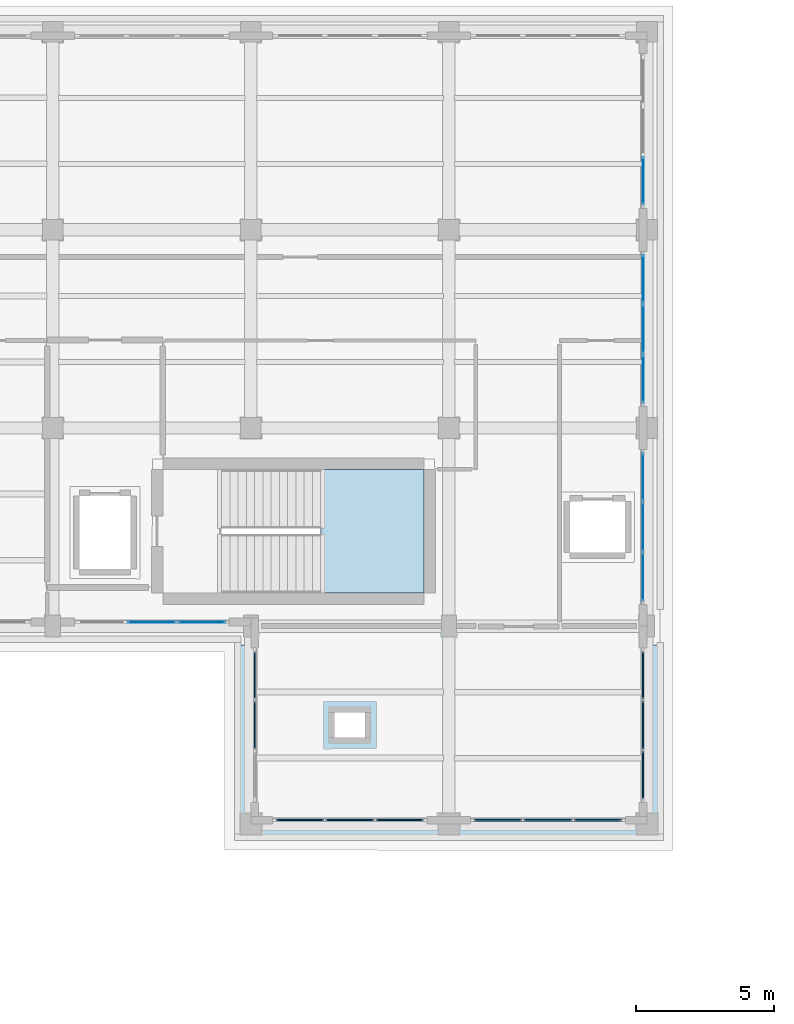
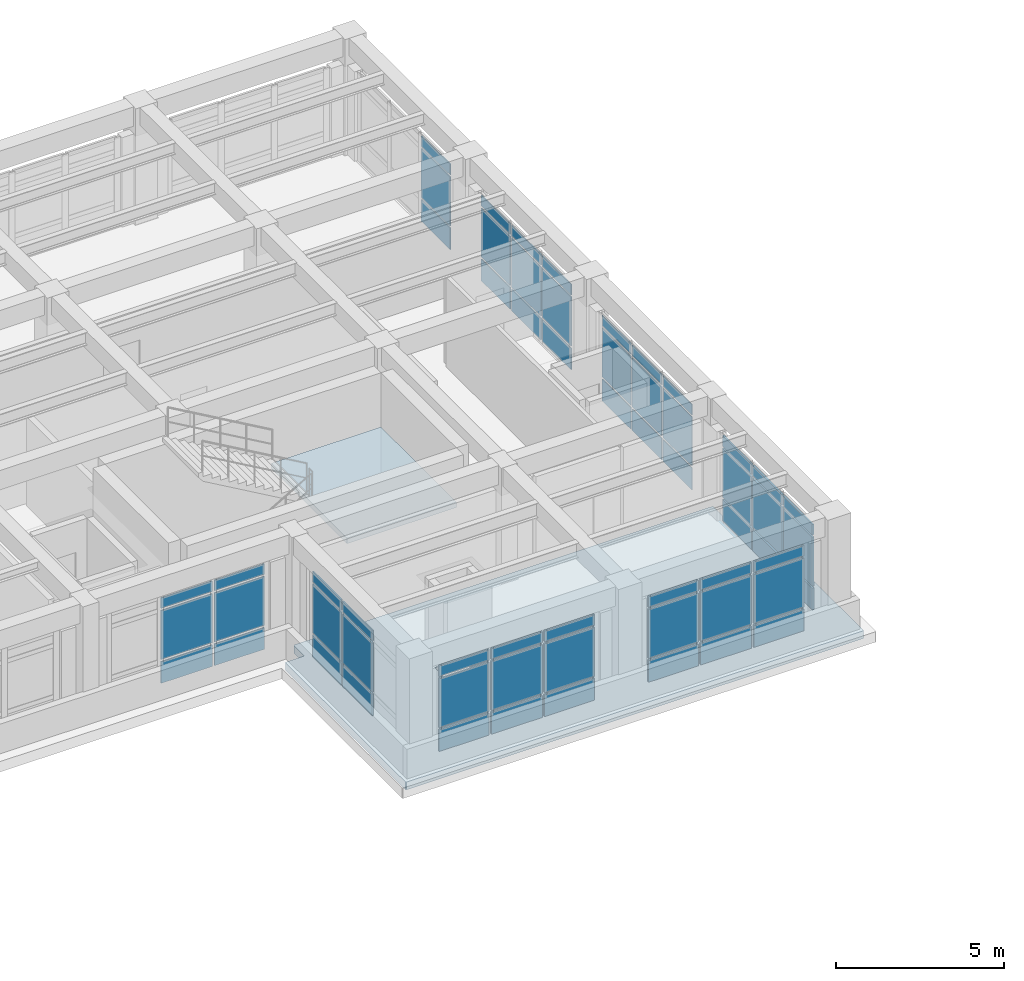
# One storey, part 44 of 67: 60 plates, 2 slabs, 9 elements without a shape of their own.
"""IFC4 building model written with IfcOpenShell, lengths in metres."""

from ifc_helpers import new_model, si_unit, direction, frame, origin, origin_2d, place, context, subcontext, project, spatial, polyline, rectangle, outline, extrude, material, layer, layer_set, type_object, element, aggregate, save


model = new_model("IFC4")

# Units and contexts
model_context = context("Model", 3, precision=1e-05, world=origin(), true_north=direction((0.0, 1.0)))
body_context = subcontext(model_context, "Body", "Model", "MODEL_VIEW")
ifc_project = project(units=[si_unit("LENGTHUNIT", "METRE"), si_unit("AREAUNIT", "SQUARE_METRE"), si_unit("VOLUMEUNIT", "CUBIC_METRE"), si_unit("PLANEANGLEUNIT", "RADIAN"), si_unit("MASSUNIT", "GRAM", prefix="KILO")], contexts=[model_context])

# Site, building, storey
site_placement = place(None, origin())
site = spatial("IfcSite", under=ifc_project, at=site_placement, CompositionType="ELEMENT")
building_placement = place(site_placement, origin())
building = spatial("IfcBuilding", under=site, at=building_placement, Name="Solenvale Faculty of Natural Sciences", CompositionType="ELEMENT")
storey_placement = place(building_placement, frame((0.0, 0.0, 13.5)))
storey = spatial("IfcBuildingStorey", under=building, at=storey_placement, Name="L03", CompositionType="ELEMENT", Elevation=13.5)

# Curtain wall, plates
ifc_material_1 = material(Name="Anodised bronze aluminium", Category="aluminium")
ifc_layer_1 = layer(ifc_material_1, 0.179931640625)
ifc_layer_set_1 = layer_set([ifc_layer_1], Name="Anodised bronze aluminium")
curtain_wall_type = type_object("IfcCurtainWallType", Name="CW-TWR-MOD", PredefinedType="USERDEFINED", material=ifc_layer_set_1)
curtain_wall_1_placement = place(storey_placement, origin())
curtain_wall_1 = element("IfcCurtainWall", 1, at=curtain_wall_1_placement, inside=storey, type_object=curtain_wall_type, Name="L03 Curtain Wall CW-L03-P3-E3-B1", ObjectType="UNITISED CURTAIN WALL", PredefinedType="USERDEFINED")
ifc_material_2 = material(Name="North-light skylight glass", Category="glass")
ifc_layer_2 = layer(ifc_material_2, 0.028076171875)
ifc_layer_set_2 = layer_set([ifc_layer_2], Name="North-light skylight glass")
plate_type_1 = type_object("IfcPlateType", Name="CWP-PNL-28", PredefinedType="CURTAIN_PANEL", material=ifc_layer_set_2)
plate_1_placement = place(storey_placement, frame((151.0576171875, 95.385498046875, 0.074951171875), z_axis=(0.0, 0.0, 1.0), x_axis=(0.0, 1.0, 0.0)))
plate_1 = element("IfcPlate", 2, at=plate_1_placement, type_object=plate_type_1, Name="CW-04 panel 1.1", PredefinedType="CURTAIN_PANEL", context=body_context, shape_type="SweptSolid", body=[
    extrude(rectangle(XDim=1.720947265625, YDim=0.028076171875, at=origin_2d()), origin(), (0.0, 0.0, 1.0), 0.78759765625),
])
plate_2_placement = place(storey_placement, frame((151.0576171875, 95.385498046875, 0.9375), z_axis=(0.0, 0.0, 1.0), x_axis=(0.0, 1.0, 0.0)))
plate_2 = element("IfcPlate", 3, at=plate_2_placement, type_object=plate_type_1, Name="CW-04 panel 1.2", PredefinedType="CURTAIN_PANEL", context=body_context, shape_type="SweptSolid", body=[
    extrude(rectangle(XDim=1.720947265625, YDim=0.028076171875, at=origin_2d()), origin(), (0.0, 0.0, 1.0), 1.784912109375),
])
plate_3_placement = place(storey_placement, frame((151.0576171875, 95.385498046875, 2.79736328125), z_axis=(0.0, 0.0, 1.0), x_axis=(0.0, 1.0, 0.0)))
plate_3 = element("IfcPlate", 4, at=plate_3_placement, type_object=plate_type_1, Name="CW-04 panel 1.3", PredefinedType="CURTAIN_PANEL", context=body_context, shape_type="SweptSolid", body=[
    extrude(rectangle(XDim=1.720947265625, YDim=0.028076171875, at=origin_2d()), origin(), (0.0, 0.0, 1.0), 0.387451171875),
])
plate_4_placement = place(storey_placement, frame((151.0576171875, 97.199951171875, 0.074951171875), z_axis=(0.0, 0.0, 1.0), x_axis=(0.0, 1.0, 0.0)))
plate_4 = element("IfcPlate", 5, at=plate_4_placement, type_object=plate_type_1, Name="CW-04 panel 2.1", PredefinedType="CURTAIN_PANEL", context=body_context, shape_type="SweptSolid", body=[
    extrude(rectangle(XDim=1.75830078125, YDim=0.028076171875, at=origin_2d()), origin(), (0.0, 0.0, 1.0), 0.78759765625),
])
plate_5_placement = place(storey_placement, frame((151.0576171875, 97.199951171875, 0.9375), z_axis=(0.0, 0.0, 1.0), x_axis=(0.0, 1.0, 0.0)))
plate_5 = element("IfcPlate", 6, at=plate_5_placement, type_object=plate_type_1, Name="CW-04 panel 2.2", PredefinedType="CURTAIN_PANEL", context=body_context, shape_type="SweptSolid", body=[
    extrude(rectangle(XDim=1.75830078125, YDim=0.028076171875, at=origin_2d()), origin(), (0.0, 0.0, 1.0), 1.784912109375),
])
plate_6_placement = place(storey_placement, frame((151.0576171875, 97.199951171875, 2.79736328125), z_axis=(0.0, 0.0, 1.0), x_axis=(0.0, 1.0, 0.0)))
plate_6 = element("IfcPlate", 7, at=plate_6_placement, type_object=plate_type_1, Name="CW-04 panel 2.3", PredefinedType="CURTAIN_PANEL", context=body_context, shape_type="SweptSolid", body=[
    extrude(rectangle(XDim=1.75830078125, YDim=0.028076171875, at=origin_2d()), origin(), (0.0, 0.0, 1.0), 0.387451171875),
])
plate_7_placement = place(storey_placement, frame((151.0576171875, 99.0146484375, 0.074951171875), z_axis=(0.0, 0.0, 1.0), x_axis=(0.0, 1.0, 0.0)))
plate_7 = element("IfcPlate", 8, at=plate_7_placement, type_object=plate_type_1, Name="CW-04 panel 3.1", PredefinedType="CURTAIN_PANEL", context=body_context, shape_type="SweptSolid", body=[
    extrude(rectangle(XDim=1.720947265625, YDim=0.028076171875, at=origin_2d()), origin(), (0.0, 0.0, 1.0), 0.78759765625),
])
plate_8_placement = place(storey_placement, frame((151.0576171875, 99.0146484375, 0.9375), z_axis=(0.0, 0.0, 1.0), x_axis=(0.0, 1.0, 0.0)))
plate_8 = element("IfcPlate", 9, at=plate_8_placement, type_object=plate_type_1, Name="CW-04 panel 3.2", PredefinedType="CURTAIN_PANEL", context=body_context, shape_type="SweptSolid", body=[
    extrude(rectangle(XDim=1.720947265625, YDim=0.028076171875, at=origin_2d()), origin(), (0.0, 0.0, 1.0), 1.784912109375),
])
plate_9_placement = place(storey_placement, frame((151.0576171875, 99.0146484375, 2.79736328125), z_axis=(0.0, 0.0, 1.0), x_axis=(0.0, 1.0, 0.0)))
plate_9 = element("IfcPlate", 10, at=plate_9_placement, type_object=plate_type_1, Name="CW-04 panel 3.3", PredefinedType="CURTAIN_PANEL", context=body_context, shape_type="SweptSolid", body=[
    extrude(rectangle(XDim=1.720947265625, YDim=0.028076171875, at=origin_2d()), origin(), (0.0, 0.0, 1.0), 0.387451171875),
])
aggregate(curtain_wall_1, [plate_1, plate_2, plate_3, plate_4, plate_5, plate_6, plate_7, plate_8, plate_9])

curtain_wall_2_placement = place(storey_placement, origin())
curtain_wall_2 = element("IfcCurtainWall", 11, at=curtain_wall_2_placement, inside=storey, type_object=curtain_wall_type, Name="L03 Curtain Wall CW-L03-P3-E3-B2", ObjectType="UNITISED CURTAIN WALL", PredefinedType="USERDEFINED")
ifc_material_3 = material(Name="Triple low-E insulated glass", Category="glass")
ifc_layer_3 = layer(ifc_material_3, 0.031982421875)
ifc_layer_set_3 = layer_set([ifc_layer_3], Name="Triple low-E insulated glass")
plate_type_2 = type_object("IfcPlateType", Name="CWP-PNL-32", PredefinedType="CURTAIN_PANEL", material=ifc_layer_set_3)
plate_10_placement = place(storey_placement, frame((151.0576171875, 102.58544921875, 0.074951171875), z_axis=(0.0, 0.0, 1.0), x_axis=(0.0, 1.0, 0.0)))
plate_10 = element("IfcPlate", 12, at=plate_10_placement, type_object=plate_type_2, Name="CW-04 panel 1.1", PredefinedType="CURTAIN_PANEL", context=body_context, shape_type="SweptSolid", body=[
    extrude(rectangle(XDim=1.720947265625, YDim=0.031982421875, at=origin_2d()), origin(), (0.0, 0.0, 1.0), 0.78759765625),
])
plate_11_placement = place(storey_placement, frame((151.0576171875, 102.58544921875, 0.9375), z_axis=(0.0, 0.0, 1.0), x_axis=(0.0, 1.0, 0.0)))
plate_11 = element("IfcPlate", 13, at=plate_11_placement, type_object=plate_type_2, Name="CW-04 panel 1.2", PredefinedType="CURTAIN_PANEL", context=body_context, shape_type="SweptSolid", body=[
    extrude(rectangle(XDim=1.720947265625, YDim=0.031982421875, at=origin_2d()), origin(), (0.0, 0.0, 1.0), 1.784912109375),
])
plate_12_placement = place(storey_placement, frame((151.0576171875, 102.58544921875, 2.79736328125), z_axis=(0.0, 0.0, 1.0), x_axis=(0.0, 1.0, 0.0)))
plate_12 = element("IfcPlate", 14, at=plate_12_placement, type_object=plate_type_2, Name="CW-04 panel 1.3", PredefinedType="CURTAIN_PANEL", context=body_context, shape_type="SweptSolid", body=[
    extrude(rectangle(XDim=1.720947265625, YDim=0.031982421875, at=origin_2d()), origin(), (0.0, 0.0, 1.0), 0.387451171875),
])
plate_13_placement = place(storey_placement, frame((151.0576171875, 104.39990234375, 0.074951171875), z_axis=(0.0, 0.0, 1.0), x_axis=(0.0, 1.0, 0.0)))
plate_13 = element("IfcPlate", 15, at=plate_13_placement, type_object=plate_type_2, Name="CW-04 panel 2.1", PredefinedType="CURTAIN_PANEL", context=body_context, shape_type="SweptSolid", body=[
    extrude(rectangle(XDim=1.75830078125, YDim=0.031982421875, at=origin_2d()), origin(), (0.0, 0.0, 1.0), 0.78759765625),
])
plate_14_placement = place(storey_placement, frame((151.0576171875, 104.39990234375, 0.9375), z_axis=(0.0, 0.0, 1.0), x_axis=(0.0, 1.0, 0.0)))
plate_14 = element("IfcPlate", 16, at=plate_14_placement, type_object=plate_type_2, Name="CW-04 panel 2.2", PredefinedType="CURTAIN_PANEL", context=body_context, shape_type="SweptSolid", body=[
    extrude(rectangle(XDim=1.75830078125, YDim=0.031982421875, at=origin_2d()), origin(), (0.0, 0.0, 1.0), 1.784912109375),
])
plate_15_placement = place(storey_placement, frame((151.0576171875, 104.39990234375, 2.79736328125), z_axis=(0.0, 0.0, 1.0), x_axis=(0.0, 1.0, 0.0)))
plate_15 = element("IfcPlate", 17, at=plate_15_placement, type_object=plate_type_2, Name="CW-04 panel 2.3", PredefinedType="CURTAIN_PANEL", context=body_context, shape_type="SweptSolid", body=[
    extrude(rectangle(XDim=1.75830078125, YDim=0.031982421875, at=origin_2d()), origin(), (0.0, 0.0, 1.0), 0.387451171875),
])
plate_16_placement = place(storey_placement, frame((151.0576171875, 106.214599609375, 0.074951171875), z_axis=(0.0, 0.0, 1.0), x_axis=(0.0, 1.0, 0.0)))
plate_16 = element("IfcPlate", 18, at=plate_16_placement, type_object=plate_type_2, Name="CW-04 panel 3.1", PredefinedType="CURTAIN_PANEL", context=body_context, shape_type="SweptSolid", body=[
    extrude(rectangle(XDim=1.720947265625, YDim=0.031982421875, at=origin_2d()), origin(), (0.0, 0.0, 1.0), 0.78759765625),
])
plate_17_placement = place(storey_placement, frame((151.0576171875, 106.214599609375, 0.9375), z_axis=(0.0, 0.0, 1.0), x_axis=(0.0, 1.0, 0.0)))
plate_17 = element("IfcPlate", 19, at=plate_17_placement, type_object=plate_type_2, Name="CW-04 panel 3.2", PredefinedType="CURTAIN_PANEL", context=body_context, shape_type="SweptSolid", body=[
    extrude(rectangle(XDim=1.720947265625, YDim=0.031982421875, at=origin_2d()), origin(), (0.0, 0.0, 1.0), 1.784912109375),
])
plate_18_placement = place(storey_placement, frame((151.0576171875, 106.214599609375, 2.79736328125), z_axis=(0.0, 0.0, 1.0), x_axis=(0.0, 1.0, 0.0)))
plate_18 = element("IfcPlate", 20, at=plate_18_placement, type_object=plate_type_2, Name="CW-04 panel 3.3", PredefinedType="CURTAIN_PANEL", context=body_context, shape_type="SweptSolid", body=[
    extrude(rectangle(XDim=1.720947265625, YDim=0.031982421875, at=origin_2d()), origin(), (0.0, 0.0, 1.0), 0.387451171875),
])
aggregate(curtain_wall_2, [plate_10, plate_11, plate_12, plate_13, plate_14, plate_15, plate_16, plate_17, plate_18])

curtain_wall_3_placement = place(storey_placement, origin())
curtain_wall_3 = element("IfcCurtainWall", 21, at=curtain_wall_3_placement, inside=storey, type_object=curtain_wall_type, Name="L03 Curtain Wall CW-L03-P3-E3-B3", ObjectType="UNITISED CURTAIN WALL", PredefinedType="USERDEFINED")
ifc_layer_4 = layer(ifc_material_3, 0.035888671875)
ifc_layer_set_4 = layer_set([ifc_layer_4], Name="Triple low-E insulated glass")
plate_type_3 = type_object("IfcPlateType", Name="CWP-PNL-36", PredefinedType="CURTAIN_PANEL", material=ifc_layer_set_4)
plate_19_placement = place(storey_placement, frame((151.0576171875, 109.785400390625, 0.074951171875), z_axis=(0.0, 0.0, 1.0), x_axis=(0.0, 1.0, 0.0)))
plate_19 = element("IfcPlate", 22, at=plate_19_placement, type_object=plate_type_3, Name="CW-04 panel 1.1", PredefinedType="CURTAIN_PANEL", context=body_context, shape_type="SweptSolid", body=[
    extrude(rectangle(XDim=1.720947265625, YDim=0.035888671875, at=origin_2d()), origin(), (0.0, 0.0, 1.0), 0.78759765625),
])
plate_20_placement = place(storey_placement, frame((151.0576171875, 109.785400390625, 0.9375), z_axis=(0.0, 0.0, 1.0), x_axis=(0.0, 1.0, 0.0)))
plate_20 = element("IfcPlate", 23, at=plate_20_placement, type_object=plate_type_3, Name="CW-04 panel 1.2", PredefinedType="CURTAIN_PANEL", context=body_context, shape_type="SweptSolid", body=[
    extrude(rectangle(XDim=1.720947265625, YDim=0.035888671875, at=origin_2d()), origin(), (0.0, 0.0, 1.0), 1.784912109375),
])
plate_21_placement = place(storey_placement, frame((151.0576171875, 109.785400390625, 2.79736328125), z_axis=(0.0, 0.0, 1.0), x_axis=(0.0, 1.0, 0.0)))
plate_21 = element("IfcPlate", 24, at=plate_21_placement, type_object=plate_type_3, Name="CW-04 panel 1.3", PredefinedType="CURTAIN_PANEL", context=body_context, shape_type="SweptSolid", body=[
    extrude(rectangle(XDim=1.720947265625, YDim=0.035888671875, at=origin_2d()), origin(), (0.0, 0.0, 1.0), 0.387451171875),
])
aggregate(curtain_wall_3, [plate_19, plate_20, plate_21])

curtain_wall_4_placement = place(storey_placement, origin())
curtain_wall_4 = element("IfcCurtainWall", 25, at=curtain_wall_4_placement, inside=storey, type_object=curtain_wall_type, Name="L03 Curtain Wall CW-L03-P3-E6-B8", ObjectType="UNITISED CURTAIN WALL", PredefinedType="USERDEFINED")
plate_22_placement = place(storey_placement, frame((133.199951171875, 93.742431640625, 0.074951171875), z_axis=(0.0, 0.0, 1.0), x_axis=(1.0, 0.0, 0.0)))
plate_22 = element("IfcPlate", 26, at=plate_22_placement, type_object=plate_type_3, Name="CW-04 panel 2.1", PredefinedType="CURTAIN_PANEL", context=body_context, shape_type="SweptSolid", body=[
    extrude(rectangle(XDim=1.75830078125, YDim=0.035888671875, at=origin_2d()), origin(), (0.0, 0.0, 1.0), 0.78759765625),
])
plate_23_placement = place(storey_placement, frame((133.199951171875, 93.742431640625, 0.9375), z_axis=(0.0, 0.0, 1.0), x_axis=(1.0, 0.0, 0.0)))
plate_23 = element("IfcPlate", 27, at=plate_23_placement, type_object=plate_type_3, Name="CW-04 panel 2.2", PredefinedType="CURTAIN_PANEL", context=body_context, shape_type="SweptSolid", body=[
    extrude(rectangle(XDim=1.75830078125, YDim=0.035888671875, at=origin_2d()), origin(), (0.0, 0.0, 1.0), 1.784912109375),
])
plate_24_placement = place(storey_placement, frame((133.199951171875, 93.742431640625, 2.79736328125), z_axis=(0.0, 0.0, 1.0), x_axis=(1.0, 0.0, 0.0)))
plate_24 = element("IfcPlate", 28, at=plate_24_placement, type_object=plate_type_3, Name="CW-04 panel 2.3", PredefinedType="CURTAIN_PANEL", context=body_context, shape_type="SweptSolid", body=[
    extrude(rectangle(XDim=1.75830078125, YDim=0.035888671875, at=origin_2d()), origin(), (0.0, 0.0, 1.0), 0.387451171875),
])
plate_25_placement = place(storey_placement, frame((135.0146484375, 93.742431640625, 0.074951171875), z_axis=(0.0, 0.0, 1.0), x_axis=(1.0, 0.0, 0.0)))
plate_25 = element("IfcPlate", 29, at=plate_25_placement, type_object=plate_type_3, Name="CW-04 panel 3.1", PredefinedType="CURTAIN_PANEL", context=body_context, shape_type="SweptSolid", body=[
    extrude(rectangle(XDim=1.720947265625, YDim=0.035888671875, at=origin_2d()), origin(), (0.0, 0.0, 1.0), 0.78759765625),
])
plate_26_placement = place(storey_placement, frame((135.0146484375, 93.742431640625, 0.9375), z_axis=(0.0, 0.0, 1.0), x_axis=(1.0, 0.0, 0.0)))
plate_26 = element("IfcPlate", 30, at=plate_26_placement, type_object=plate_type_3, Name="CW-04 panel 3.2", PredefinedType="CURTAIN_PANEL", context=body_context, shape_type="SweptSolid", body=[
    extrude(rectangle(XDim=1.720947265625, YDim=0.035888671875, at=origin_2d()), origin(), (0.0, 0.0, 1.0), 1.784912109375),
])
plate_27_placement = place(storey_placement, frame((135.0146484375, 93.742431640625, 2.79736328125), z_axis=(0.0, 0.0, 1.0), x_axis=(1.0, 0.0, 0.0)))
plate_27 = element("IfcPlate", 31, at=plate_27_placement, type_object=plate_type_3, Name="CW-04 panel 3.3", PredefinedType="CURTAIN_PANEL", context=body_context, shape_type="SweptSolid", body=[
    extrude(rectangle(XDim=1.720947265625, YDim=0.035888671875, at=origin_2d()), origin(), (0.0, 0.0, 1.0), 0.387451171875),
])
aggregate(curtain_wall_4, [plate_22, plate_23, plate_24, plate_25, plate_26, plate_27])

curtain_wall_5_placement = place(storey_placement, origin())
curtain_wall_5 = element("IfcCurtainWall", 32, at=curtain_wall_5_placement, inside=storey, type_object=curtain_wall_type, Name="L03 Curtain Wall CW-L03-P3-E7-B1", ObjectType="UNITISED CURTAIN WALL", PredefinedType="USERDEFINED")
ifc_layer_5 = layer(ifc_material_3, 0.0439453125)
ifc_layer_set_5 = layer_set([ifc_layer_5], Name="Triple low-E insulated glass")
plate_type_4 = type_object("IfcPlateType", Name="CWP-PNL-44", PredefinedType="CURTAIN_PANEL", material=ifc_layer_set_5)
plate_28_placement = place(storey_placement, frame((136.9423828125, 91.814697265625, 0.074951171875), z_axis=(0.0, 0.0, 1.0), x_axis=(0.0, -1.0, 0.0)))
plate_28 = element("IfcPlate", 33, at=plate_28_placement, type_object=plate_type_4, Name="CW-04 panel 1.1", PredefinedType="CURTAIN_PANEL", context=body_context, shape_type="SweptSolid", body=[
    extrude(rectangle(XDim=1.720947265625, YDim=0.0439453125, at=origin_2d()), origin(), (0.0, 0.0, 1.0), 0.78759765625),
])
plate_29_placement = place(storey_placement, frame((136.9423828125, 91.814697265625, 0.9375), z_axis=(0.0, 0.0, 1.0), x_axis=(0.0, -1.0, 0.0)))
plate_29 = element("IfcPlate", 34, at=plate_29_placement, type_object=plate_type_4, Name="CW-04 panel 1.2", PredefinedType="CURTAIN_PANEL", context=body_context, shape_type="SweptSolid", body=[
    extrude(rectangle(XDim=1.720947265625, YDim=0.0439453125, at=origin_2d()), origin(), (0.0, 0.0, 1.0), 1.784912109375),
])
plate_30_placement = place(storey_placement, frame((136.9423828125, 91.814697265625, 2.79736328125), z_axis=(0.0, 0.0, 1.0), x_axis=(0.0, -1.0, 0.0)))
plate_30 = element("IfcPlate", 35, at=plate_30_placement, type_object=plate_type_4, Name="CW-04 panel 1.3", PredefinedType="CURTAIN_PANEL", context=body_context, shape_type="SweptSolid", body=[
    extrude(rectangle(XDim=1.720947265625, YDim=0.0439453125, at=origin_2d()), origin(), (0.0, 0.0, 1.0), 0.387451171875),
])
plate_31_placement = place(storey_placement, frame((136.9423828125, 90.0, 0.074951171875), z_axis=(0.0, 0.0, 1.0), x_axis=(0.0, -1.0, 0.0)))
plate_31 = element("IfcPlate", 36, at=plate_31_placement, type_object=plate_type_4, Name="CW-04 panel 2.1", PredefinedType="CURTAIN_PANEL", context=body_context, shape_type="SweptSolid", body=[
    extrude(rectangle(XDim=1.75830078125, YDim=0.0439453125, at=origin_2d()), origin(), (0.0, 0.0, 1.0), 0.78759765625),
])
plate_32_placement = place(storey_placement, frame((136.9423828125, 90.0, 0.9375), z_axis=(0.0, 0.0, 1.0), x_axis=(0.0, -1.0, 0.0)))
plate_32 = element("IfcPlate", 37, at=plate_32_placement, type_object=plate_type_4, Name="CW-04 panel 2.2", PredefinedType="CURTAIN_PANEL", context=body_context, shape_type="SweptSolid", body=[
    extrude(rectangle(XDim=1.75830078125, YDim=0.0439453125, at=origin_2d()), origin(), (0.0, 0.0, 1.0), 1.784912109375),
])
plate_33_placement = place(storey_placement, frame((136.9423828125, 90.0, 2.79736328125), z_axis=(0.0, 0.0, 1.0), x_axis=(0.0, -1.0, 0.0)))
plate_33 = element("IfcPlate", 38, at=plate_33_placement, type_object=plate_type_4, Name="CW-04 panel 2.3", PredefinedType="CURTAIN_PANEL", context=body_context, shape_type="SweptSolid", body=[
    extrude(rectangle(XDim=1.75830078125, YDim=0.0439453125, at=origin_2d()), origin(), (0.0, 0.0, 1.0), 0.387451171875),
])
aggregate(curtain_wall_5, [plate_28, plate_29, plate_30, plate_31, plate_32, plate_33])

curtain_wall_6_placement = place(storey_placement, origin())
curtain_wall_6 = element("IfcCurtainWall", 39, at=curtain_wall_6_placement, inside=storey, type_object=curtain_wall_type, Name="L03 Curtain Wall CW-L03-P3-E1-B1", ObjectType="UNITISED CURTAIN WALL", PredefinedType="USERDEFINED")
ifc_layer_6 = layer(ifc_material_1, 0.053955078125)
ifc_layer_set_6 = layer_set([ifc_layer_6], Name="Anodised bronze aluminium")
plate_type_5 = type_object("IfcPlateType", Name="CWP-PNL-54", PredefinedType="CURTAIN_PANEL", material=ifc_layer_set_6)
plate_34_placement = place(storey_placement, frame((138.58544921875, 86.54248046875, 0.074951171875), z_axis=(0.0, 0.0, 1.0), x_axis=(1.0, 0.0, 0.0)))
plate_34 = element("IfcPlate", 40, at=plate_34_placement, type_object=plate_type_5, Name="CW-04 panel 1.1", PredefinedType="CURTAIN_PANEL", context=body_context, shape_type="SweptSolid", body=[
    extrude(rectangle(XDim=1.720947265625, YDim=0.053955078125, at=origin_2d()), origin(), (0.0, 0.0, 1.0), 0.78759765625),
])
plate_35_placement = place(storey_placement, frame((138.58544921875, 86.54248046875, 0.9375), z_axis=(0.0, 0.0, 1.0), x_axis=(1.0, 0.0, 0.0)))
plate_35 = element("IfcPlate", 41, at=plate_35_placement, type_object=plate_type_5, Name="CW-04 panel 1.2", PredefinedType="CURTAIN_PANEL", context=body_context, shape_type="SweptSolid", body=[
    extrude(rectangle(XDim=1.720947265625, YDim=0.053955078125, at=origin_2d()), origin(), (0.0, 0.0, 1.0), 1.784912109375),
])
plate_36_placement = place(storey_placement, frame((138.58544921875, 86.54248046875, 2.79736328125), z_axis=(0.0, 0.0, 1.0), x_axis=(1.0, 0.0, 0.0)))
plate_36 = element("IfcPlate", 42, at=plate_36_placement, type_object=plate_type_5, Name="CW-04 panel 1.3", PredefinedType="CURTAIN_PANEL", context=body_context, shape_type="SweptSolid", body=[
    extrude(rectangle(XDim=1.720947265625, YDim=0.053955078125, at=origin_2d()), origin(), (0.0, 0.0, 1.0), 0.387451171875),
])
plate_37_placement = place(storey_placement, frame((140.39990234375, 86.54248046875, 0.074951171875), z_axis=(0.0, 0.0, 1.0), x_axis=(1.0, 0.0, 0.0)))
plate_37 = element("IfcPlate", 43, at=plate_37_placement, type_object=plate_type_5, Name="CW-04 panel 2.1", PredefinedType="CURTAIN_PANEL", context=body_context, shape_type="SweptSolid", body=[
    extrude(rectangle(XDim=1.75830078125, YDim=0.053955078125, at=origin_2d()), origin(), (0.0, 0.0, 1.0), 0.78759765625),
])
plate_38_placement = place(storey_placement, frame((140.39990234375, 86.54248046875, 0.9375), z_axis=(0.0, 0.0, 1.0), x_axis=(1.0, 0.0, 0.0)))
plate_38 = element("IfcPlate", 44, at=plate_38_placement, type_object=plate_type_5, Name="CW-04 panel 2.2", PredefinedType="CURTAIN_PANEL", context=body_context, shape_type="SweptSolid", body=[
    extrude(rectangle(XDim=1.75830078125, YDim=0.053955078125, at=origin_2d()), origin(), (0.0, 0.0, 1.0), 1.784912109375),
])
plate_39_placement = place(storey_placement, frame((140.39990234375, 86.54248046875, 2.79736328125), z_axis=(0.0, 0.0, 1.0), x_axis=(1.0, 0.0, 0.0)))
plate_39 = element("IfcPlate", 45, at=plate_39_placement, type_object=plate_type_5, Name="CW-04 panel 2.3", PredefinedType="CURTAIN_PANEL", context=body_context, shape_type="SweptSolid", body=[
    extrude(rectangle(XDim=1.75830078125, YDim=0.053955078125, at=origin_2d()), origin(), (0.0, 0.0, 1.0), 0.387451171875),
])
plate_40_placement = place(storey_placement, frame((142.214599609375, 86.54248046875, 0.074951171875), z_axis=(0.0, 0.0, 1.0), x_axis=(1.0, 0.0, 0.0)))
plate_40 = element("IfcPlate", 46, at=plate_40_placement, type_object=plate_type_5, Name="CW-04 panel 3.1", PredefinedType="CURTAIN_PANEL", context=body_context, shape_type="SweptSolid", body=[
    extrude(rectangle(XDim=1.720947265625, YDim=0.053955078125, at=origin_2d()), origin(), (0.0, 0.0, 1.0), 0.78759765625),
])
plate_41_placement = place(storey_placement, frame((142.214599609375, 86.54248046875, 0.9375), z_axis=(0.0, 0.0, 1.0), x_axis=(1.0, 0.0, 0.0)))
plate_41 = element("IfcPlate", 47, at=plate_41_placement, type_object=plate_type_5, Name="CW-04 panel 3.2", PredefinedType="CURTAIN_PANEL", context=body_context, shape_type="SweptSolid", body=[
    extrude(rectangle(XDim=1.720947265625, YDim=0.053955078125, at=origin_2d()), origin(), (0.0, 0.0, 1.0), 1.784912109375),
])
plate_42_placement = place(storey_placement, frame((142.214599609375, 86.54248046875, 2.79736328125), z_axis=(0.0, 0.0, 1.0), x_axis=(1.0, 0.0, 0.0)))
plate_42 = element("IfcPlate", 48, at=plate_42_placement, type_object=plate_type_5, Name="CW-04 panel 3.3", PredefinedType="CURTAIN_PANEL", context=body_context, shape_type="SweptSolid", body=[
    extrude(rectangle(XDim=1.720947265625, YDim=0.053955078125, at=origin_2d()), origin(), (0.0, 0.0, 1.0), 0.387451171875),
])
aggregate(curtain_wall_6, [plate_34, plate_35, plate_36, plate_37, plate_38, plate_39, plate_40, plate_41, plate_42])

curtain_wall_7_placement = place(storey_placement, origin())
curtain_wall_7 = element("IfcCurtainWall", 49, at=curtain_wall_7_placement, inside=storey, type_object=curtain_wall_type, Name="L03 Curtain Wall CW-L03-P3-E1-B2", ObjectType="UNITISED CURTAIN WALL", PredefinedType="USERDEFINED")
ifc_layer_7 = layer(ifc_material_1, 0.06005859375)
ifc_layer_set_7 = layer_set([ifc_layer_7], Name="Anodised bronze aluminium")
plate_type_6 = type_object("IfcPlateType", Name="CWP-PNL-60", PredefinedType="CURTAIN_PANEL", material=ifc_layer_set_7)
plate_43_placement = place(storey_placement, frame((145.785400390625, 86.54248046875, 0.074951171875), z_axis=(0.0, 0.0, 1.0), x_axis=(1.0, 0.0, 0.0)))
plate_43 = element("IfcPlate", 50, at=plate_43_placement, type_object=plate_type_6, Name="CW-04 panel 1.1", PredefinedType="CURTAIN_PANEL", context=body_context, shape_type="SweptSolid", body=[
    extrude(rectangle(XDim=1.720947265625, YDim=0.06005859375, at=origin_2d()), origin(), (0.0, 0.0, 1.0), 0.78759765625),
])
plate_44_placement = place(storey_placement, frame((145.785400390625, 86.54248046875, 0.9375), z_axis=(0.0, 0.0, 1.0), x_axis=(1.0, 0.0, 0.0)))
plate_44 = element("IfcPlate", 51, at=plate_44_placement, type_object=plate_type_6, Name="CW-04 panel 1.2", PredefinedType="CURTAIN_PANEL", context=body_context, shape_type="SweptSolid", body=[
    extrude(rectangle(XDim=1.720947265625, YDim=0.06005859375, at=origin_2d()), origin(), (0.0, 0.0, 1.0), 1.784912109375),
])
plate_45_placement = place(storey_placement, frame((145.785400390625, 86.54248046875, 2.79736328125), z_axis=(0.0, 0.0, 1.0), x_axis=(1.0, 0.0, 0.0)))
plate_45 = element("IfcPlate", 52, at=plate_45_placement, type_object=plate_type_6, Name="CW-04 panel 1.3", PredefinedType="CURTAIN_PANEL", context=body_context, shape_type="SweptSolid", body=[
    extrude(rectangle(XDim=1.720947265625, YDim=0.06005859375, at=origin_2d()), origin(), (0.0, 0.0, 1.0), 0.387451171875),
])
plate_46_placement = place(storey_placement, frame((147.60009765625, 86.54248046875, 0.074951171875), z_axis=(0.0, 0.0, 1.0), x_axis=(1.0, 0.0, 0.0)))
plate_46 = element("IfcPlate", 53, at=plate_46_placement, type_object=plate_type_6, Name="CW-04 panel 2.1", PredefinedType="CURTAIN_PANEL", context=body_context, shape_type="SweptSolid", body=[
    extrude(rectangle(XDim=1.75830078125, YDim=0.06005859375, at=origin_2d()), origin(), (0.0, 0.0, 1.0), 0.78759765625),
])
plate_47_placement = place(storey_placement, frame((147.60009765625, 86.54248046875, 0.9375), z_axis=(0.0, 0.0, 1.0), x_axis=(1.0, 0.0, 0.0)))
plate_47 = element("IfcPlate", 54, at=plate_47_placement, type_object=plate_type_6, Name="CW-04 panel 2.2", PredefinedType="CURTAIN_PANEL", context=body_context, shape_type="SweptSolid", body=[
    extrude(rectangle(XDim=1.75830078125, YDim=0.06005859375, at=origin_2d()), origin(), (0.0, 0.0, 1.0), 1.784912109375),
])
plate_48_placement = place(storey_placement, frame((147.60009765625, 86.54248046875, 2.79736328125), z_axis=(0.0, 0.0, 1.0), x_axis=(1.0, 0.0, 0.0)))
plate_48 = element("IfcPlate", 55, at=plate_48_placement, type_object=plate_type_6, Name="CW-04 panel 2.3", PredefinedType="CURTAIN_PANEL", context=body_context, shape_type="SweptSolid", body=[
    extrude(rectangle(XDim=1.75830078125, YDim=0.06005859375, at=origin_2d()), origin(), (0.0, 0.0, 1.0), 0.387451171875),
])
plate_49_placement = place(storey_placement, frame((149.41455078125, 86.54248046875, 0.074951171875), z_axis=(0.0, 0.0, 1.0), x_axis=(1.0, 0.0, 0.0)))
plate_49 = element("IfcPlate", 56, at=plate_49_placement, type_object=plate_type_6, Name="CW-04 panel 3.1", PredefinedType="CURTAIN_PANEL", context=body_context, shape_type="SweptSolid", body=[
    extrude(rectangle(XDim=1.720947265625, YDim=0.06005859375, at=origin_2d()), origin(), (0.0, 0.0, 1.0), 0.78759765625),
])
plate_50_placement = place(storey_placement, frame((149.41455078125, 86.54248046875, 0.9375), z_axis=(0.0, 0.0, 1.0), x_axis=(1.0, 0.0, 0.0)))
plate_50 = element("IfcPlate", 57, at=plate_50_placement, type_object=plate_type_6, Name="CW-04 panel 3.2", PredefinedType="CURTAIN_PANEL", context=body_context, shape_type="SweptSolid", body=[
    extrude(rectangle(XDim=1.720947265625, YDim=0.06005859375, at=origin_2d()), origin(), (0.0, 0.0, 1.0), 1.784912109375),
])
plate_51_placement = place(storey_placement, frame((149.41455078125, 86.54248046875, 2.79736328125), z_axis=(0.0, 0.0, 1.0), x_axis=(1.0, 0.0, 0.0)))
plate_51 = element("IfcPlate", 58, at=plate_51_placement, type_object=plate_type_6, Name="CW-04 panel 3.3", PredefinedType="CURTAIN_PANEL", context=body_context, shape_type="SweptSolid", body=[
    extrude(rectangle(XDim=1.720947265625, YDim=0.06005859375, at=origin_2d()), origin(), (0.0, 0.0, 1.0), 0.387451171875),
])
aggregate(curtain_wall_7, [plate_43, plate_44, plate_45, plate_46, plate_47, plate_48, plate_49, plate_50, plate_51])

curtain_wall_8_placement = place(storey_placement, origin())
curtain_wall_8 = element("IfcCurtainWall", 59, at=curtain_wall_8_placement, inside=storey, type_object=curtain_wall_type, Name="L03 Curtain Wall CW-L03-P3-E2-B1", ObjectType="UNITISED CURTAIN WALL", PredefinedType="USERDEFINED")
plate_52_placement = place(storey_placement, frame((151.0576171875, 88.185302734375, 0.074951171875), z_axis=(0.0, 0.0, 1.0), x_axis=(0.0, 1.0, 0.0)))
plate_52 = element("IfcPlate", 60, at=plate_52_placement, type_object=plate_type_6, Name="CW-04 panel 1.1", PredefinedType="CURTAIN_PANEL", context=body_context, shape_type="SweptSolid", body=[
    extrude(rectangle(XDim=1.720947265625, YDim=0.06005859375, at=origin_2d()), origin(), (0.0, 0.0, 1.0), 0.78759765625),
])
plate_53_placement = place(storey_placement, frame((151.0576171875, 88.185302734375, 0.9375), z_axis=(0.0, 0.0, 1.0), x_axis=(0.0, 1.0, 0.0)))
plate_53 = element("IfcPlate", 61, at=plate_53_placement, type_object=plate_type_6, Name="CW-04 panel 1.2", PredefinedType="CURTAIN_PANEL", context=body_context, shape_type="SweptSolid", body=[
    extrude(rectangle(XDim=1.720947265625, YDim=0.06005859375, at=origin_2d()), origin(), (0.0, 0.0, 1.0), 1.784912109375),
])
plate_54_placement = place(storey_placement, frame((151.0576171875, 88.185302734375, 2.79736328125), z_axis=(0.0, 0.0, 1.0), x_axis=(0.0, 1.0, 0.0)))
plate_54 = element("IfcPlate", 62, at=plate_54_placement, type_object=plate_type_6, Name="CW-04 panel 1.3", PredefinedType="CURTAIN_PANEL", context=body_context, shape_type="SweptSolid", body=[
    extrude(rectangle(XDim=1.720947265625, YDim=0.06005859375, at=origin_2d()), origin(), (0.0, 0.0, 1.0), 0.387451171875),
])
plate_55_placement = place(storey_placement, frame((151.0576171875, 90.0, 0.074951171875), z_axis=(0.0, 0.0, 1.0), x_axis=(0.0, 1.0, 0.0)))
plate_55 = element("IfcPlate", 63, at=plate_55_placement, type_object=plate_type_6, Name="CW-04 panel 2.1", PredefinedType="CURTAIN_PANEL", context=body_context, shape_type="SweptSolid", body=[
    extrude(rectangle(XDim=1.75830078125, YDim=0.06005859375, at=origin_2d()), origin(), (0.0, 0.0, 1.0), 0.78759765625),
])
plate_56_placement = place(storey_placement, frame((151.0576171875, 90.0, 0.9375), z_axis=(0.0, 0.0, 1.0), x_axis=(0.0, 1.0, 0.0)))
plate_56 = element("IfcPlate", 64, at=plate_56_placement, type_object=plate_type_6, Name="CW-04 panel 2.2", PredefinedType="CURTAIN_PANEL", context=body_context, shape_type="SweptSolid", body=[
    extrude(rectangle(XDim=1.75830078125, YDim=0.06005859375, at=origin_2d()), origin(), (0.0, 0.0, 1.0), 1.784912109375),
])
plate_57_placement = place(storey_placement, frame((151.0576171875, 90.0, 2.79736328125), z_axis=(0.0, 0.0, 1.0), x_axis=(0.0, 1.0, 0.0)))
plate_57 = element("IfcPlate", 65, at=plate_57_placement, type_object=plate_type_6, Name="CW-04 panel 2.3", PredefinedType="CURTAIN_PANEL", context=body_context, shape_type="SweptSolid", body=[
    extrude(rectangle(XDim=1.75830078125, YDim=0.06005859375, at=origin_2d()), origin(), (0.0, 0.0, 1.0), 0.387451171875),
])
plate_58_placement = place(storey_placement, frame((151.0576171875, 91.814697265625, 0.074951171875), z_axis=(0.0, 0.0, 1.0), x_axis=(0.0, 1.0, 0.0)))
plate_58 = element("IfcPlate", 66, at=plate_58_placement, type_object=plate_type_6, Name="CW-04 panel 3.1", PredefinedType="CURTAIN_PANEL", context=body_context, shape_type="SweptSolid", body=[
    extrude(rectangle(XDim=1.720947265625, YDim=0.06005859375, at=origin_2d()), origin(), (0.0, 0.0, 1.0), 0.78759765625),
])
plate_59_placement = place(storey_placement, frame((151.0576171875, 91.814697265625, 0.9375), z_axis=(0.0, 0.0, 1.0), x_axis=(0.0, 1.0, 0.0)))
plate_59 = element("IfcPlate", 67, at=plate_59_placement, type_object=plate_type_6, Name="CW-04 panel 3.2", PredefinedType="CURTAIN_PANEL", context=body_context, shape_type="SweptSolid", body=[
    extrude(rectangle(XDim=1.720947265625, YDim=0.06005859375, at=origin_2d()), origin(), (0.0, 0.0, 1.0), 1.784912109375),
])
plate_60_placement = place(storey_placement, frame((151.0576171875, 91.814697265625, 2.79736328125), z_axis=(0.0, 0.0, 1.0), x_axis=(0.0, 1.0, 0.0)))
plate_60 = element("IfcPlate", 68, at=plate_60_placement, type_object=plate_type_6, Name="CW-04 panel 3.3", PredefinedType="CURTAIN_PANEL", context=body_context, shape_type="SweptSolid", body=[
    extrude(rectangle(XDim=1.720947265625, YDim=0.06005859375, at=origin_2d()), origin(), (0.0, 0.0, 1.0), 0.387451171875),
])
aggregate(curtain_wall_8, [plate_52, plate_53, plate_54, plate_55, plate_56, plate_57, plate_58, plate_59, plate_60])

# Slab
ifc_material_4 = material(Name="Concrete 40 MPa", Category="concrete")
ifc_layer_8 = layer(ifc_material_4, 0.280029296875)
ifc_layer_set_8 = layer_set([ifc_layer_8], Name="Concrete 40 MPa")
slab_type_1 = type_object("IfcSlabType", Name="SL-FLR-280", PredefinedType="FLOOR", material=ifc_layer_set_8)
slab_1_placement = place(storey_placement, frame((0.0, 0.0, -0.280029296875)))
element("IfcSlab", 69, at=slab_1_placement, inside=storey, type_object=slab_type_1, Name="L03 V5E Floor Slab 1.1", PredefinedType="FLOOR", context=body_context, shape_type="SweptSolid", body=[
    extrude(outline(polyline([(136.14501953125, 85.719970703125), (136.127197265625, 85.727294921875), (136.1201171875, 85.7451171875), (136.1201171875, 92.8974609375), (136.129150390625, 92.914306640625), (136.14501953125, 92.919921875), (136.780029296875, 92.919921875), (136.780029296875, 93.544921875), (136.79541015625, 93.568115234375), (151.195068359375, 93.570068359375), (151.212646484375, 93.562744140625), (151.219970703125, 93.544921875), (151.219970703125, 92.919921875), (151.85498046875, 92.919921875), (151.878173828125, 92.904541015625), (151.8798828125, 85.7451171875), (151.864501953125, 85.721923828125), (136.14501953125, 85.719970703125)]), holes=[polyline([(139.85009765625, 89.550048828125), (140.949951171875, 89.550048828125), (140.949951171875, 90.449951171875), (139.85009765625, 90.449951171875), (139.85009765625, 89.550048828125)])]), origin(), (0.0, 0.0, 1.0), 0.280029296875),
])

# Stair, slab
stair_type = type_object("IfcStairType", Name="STR-CORE-25R", PredefinedType="DOUBLE_RETURN_STAIR", material=ifc_material_4)
stair_placement = place(storey_placement, origin())
stair = element("IfcStair", 70, at=stair_placement, inside=storey, type_object=stair_type, Name="L03 Protected Exit Stair ST-05", PredefinedType="DOUBLE_RETURN_STAIR")
ifc_layer_9 = layer(ifc_material_4, 0.195068359375)
ifc_layer_set_9 = layer_set([ifc_layer_9], Name="Concrete 40 MPa")
slab_type_2 = type_object("IfcSlabType", Name="SL-LND-195", PredefinedType="LANDING", material=ifc_layer_set_9)
slab_2_placement = place(storey_placement, frame((0.0, 0.0, 2.050048828125)))
slab_2 = element("IfcSlab", 71, at=slab_2_placement, type_object=slab_type_2, Name="ST-05 landing 1", PredefinedType="LANDING", context=body_context, shape_type="SweptSolid", body=[
    extrude(outline(polyline([(139.340087890625, 94.800048828125), (143.10009765625, 94.800048828125), (143.10009765625, 99.300048828125), (139.340087890625, 99.300048828125), (139.340087890625, 94.800048828125)])), origin(), (0.0, 0.0, 1.0), 0.199951171875),
])
aggregate(stair, [slab_2])

save(model, "model.ifc")
